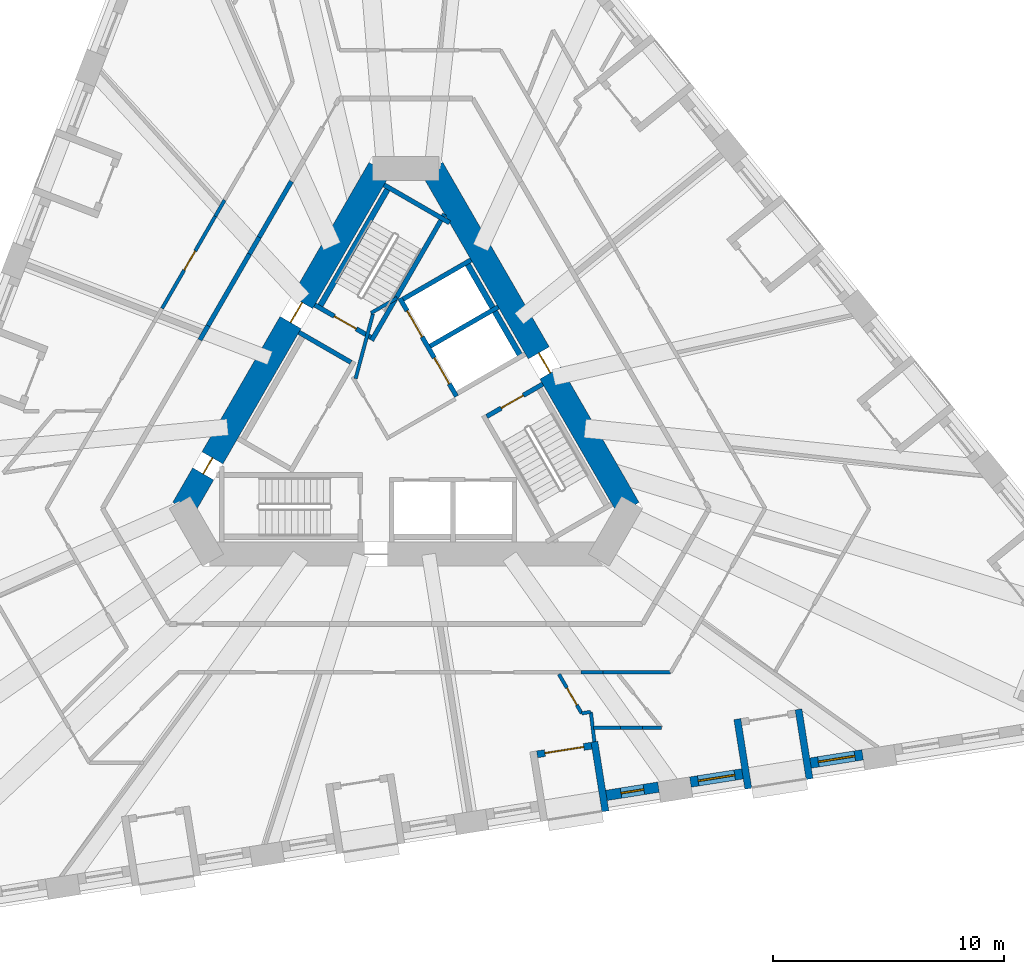
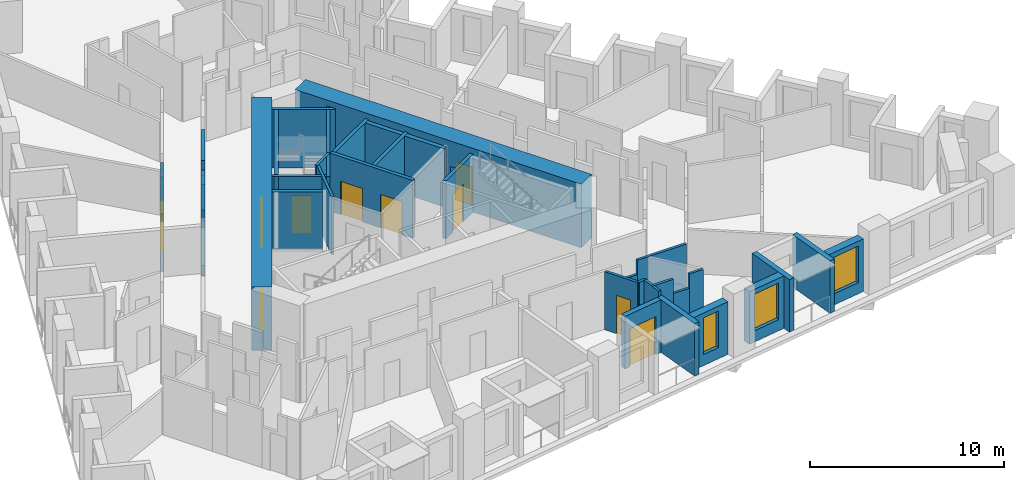
# One storey, part 5 of 14: 35 walls, 10 doors, 3 windows, 13 openings.
"""IFC4 building model written with IfcOpenShell, lengths in metres."""

from ifc_helpers import new_model, si_unit, direction, frame, frame_2d, origin, place, context, subcontext, project, spatial, rectangle, extrude, material, layer, layer_set, type_object, element, fill, save


model = new_model("IFC4")

# Units and contexts
model_context = context("Model", 3, precision=1e-05, world=origin(), true_north=direction((0.0, 1.0)))
body_context = subcontext(model_context, "Body", "Model", "MODEL_VIEW")
ifc_project = project(units=[si_unit("LENGTHUNIT", "METRE"), si_unit("AREAUNIT", "SQUARE_METRE"), si_unit("VOLUMEUNIT", "CUBIC_METRE"), si_unit("PLANEANGLEUNIT", "RADIAN"), si_unit("MASSUNIT", "GRAM", prefix="KILO")], contexts=[model_context])

# Site, building, storey
site_placement = place(None, origin())
site = spatial("IfcSite", under=ifc_project, at=site_placement, CompositionType="ELEMENT")
building_placement = place(site_placement, origin())
building = spatial("IfcBuilding", under=site, at=building_placement, Name="Tramontana Tower", CompositionType="ELEMENT")
storey_placement = place(building_placement, frame((0.0, 0.0, 59.199951171875)))
storey = spatial("IfcBuildingStorey", under=building, at=storey_placement, Name="L12", CompositionType="ELEMENT", Elevation=59.199951171875)

# Wall, openings, doors
ifc_material_1 = material(Name="Concrete 70 MPa", Category="concrete")
ifc_layer_1 = layer(ifc_material_1, 1.050048828125)
ifc_layer_set_1 = layer_set([ifc_layer_1], Name="Core wall 1050 70 MPa")
wall_type_1 = type_object("IfcWallType", Name="Core wall 1050 70 MPa", PredefinedType="SHEAR", material=ifc_layer_set_1)
wall_1_placement = place(storey_placement, frame((-1.140380859375, 10.47509765625, 0.0), z_axis=(0.0, 0.0, 1.0), x_axis=(-0.499985955615, -0.866033512162, 0.0)))
wall_1 = element("IfcWall", 1, at=wall_1_placement, inside=storey, type_object=wall_type_1, Name="Core wall C1 L12", PredefinedType="SHEAR", context=body_context, shape_type="SweptSolid", body=[
    extrude(rectangle(XDim=17.0029296875, YDim=1.050048828125, at=frame_2d((8.50146484375, 0.0))), origin(), (0.0, 0.0, 1.0), 4.0),
])
opening_1_placement = place(wall_1_placement, frame((6.70654296875, 0.0, 0.0)))
opening_1 = element("IfcOpeningElement", 2, at=opening_1_placement, cuts=wall_1, Name="Opening RG1", PredefinedType="OPENING", context=body_context, shape_type="SweptSolid", body=[
    extrude(rectangle(XDim=1.0, YDim=2.39990234375, at=frame_2d((0.5, 1.199951171875))), frame((0.0, 0.534912109375, 0.0), z_axis=(0.0, -1.0, 0.0), x_axis=(1.0, 0.0, 0.0)), (0.0, 0.0, 1.0), 1.070068359375),
])
opening_2_placement = place(wall_1_placement, frame((14.472412109375, 0.0, 0.0)))
opening_2 = element("IfcOpeningElement", 3, at=opening_2_placement, cuts=wall_1, Name="Opening PD1", PredefinedType="OPENING", context=body_context, shape_type="SweptSolid", body=[
    extrude(rectangle(XDim=0.800048828125, YDim=2.10009765625, at=frame_2d((0.39990234375, 1.050048828125))), frame((0.0, 0.534912109375, 0.0), z_axis=(0.0, -1.0, 0.0), x_axis=(1.0, 0.0, 0.0)), (0.0, 0.0, 1.0), 1.070068359375),
])
ifc_material_2 = material(Name="Painted steel", Category="steel")
door_type_1 = type_object("IfcDoorType", Name="CUPBOARD DOOR 800", OperationType="SINGLE_SWING_LEFT", PredefinedType="DOOR", material=ifc_material_2)
door_1_placement = place(opening_2_placement, origin())
door_1 = element("IfcDoor", 4, at=door_1_placement, inside=storey, type_object=door_type_1, Name="Door PD1", OperationType="SINGLE_SWING_RIGHT", OverallHeight=2.10009765625, OverallWidth=0.800048828125, PredefinedType="DOOR", context=body_context, shape_type="SweptSolid", body=[
    extrude(rectangle(XDim=0.800048828125, YDim=2.10009765625, at=frame_2d((0.39990234375, 1.050048828125))), frame((0.0, 0.02490234375, 0.0), z_axis=(0.0, -1.0, 0.0), x_axis=(1.0, 0.0, 0.0)), (0.0, 0.0, 1.0), 0.050048828125),
])
fill(opening_2, door_1)
ifc_material_3 = material(Name="Painted steel", Category="steel")
door_type_2 = type_object("IfcDoorType", Name="RING DOOR 1000", OperationType="SINGLE_SWING_LEFT", PredefinedType="DOOR", material=ifc_material_3)
door_2_placement = place(opening_1_placement, origin())
door_2 = element("IfcDoor", 5, at=door_2_placement, inside=storey, type_object=door_type_2, Name="Door RG1", OperationType="SINGLE_SWING_LEFT", OverallHeight=2.39990234375, OverallWidth=1.0, PredefinedType="DOOR", context=body_context, shape_type="SweptSolid", body=[
    extrude(rectangle(XDim=1.0, YDim=2.39990234375, at=frame_2d((0.5, 1.199951171875))), frame((0.0, 0.02490234375, 0.0), z_axis=(0.0, -1.0, 0.0), x_axis=(1.0, 0.0, 0.0)), (0.0, 0.0, 1.0), 0.050048828125),
])
fill(opening_1, door_2)

# Wall, opening, door
wall_2_placement = place(storey_placement, frame((9.6416015625, -4.25, 0.0), z_axis=(0.0, 0.0, 1.0), x_axis=(-0.499985955615, 0.866033512162, 0.0)))
wall_2 = element("IfcWall", 6, at=wall_2_placement, inside=storey, type_object=wall_type_1, Name="Core wall C5 L12", PredefinedType="SHEAR", context=body_context, shape_type="SweptSolid", body=[
    extrude(rectangle(XDim=17.0029296875, YDim=1.050048828125, at=frame_2d((8.50146484375, 0.0))), origin(), (0.0, 0.0, 1.0), 4.0),
])
opening_3_placement = place(wall_2_placement, frame((6.7763671875, 0.0, 0.0)))
opening_3 = element("IfcOpeningElement", 7, at=opening_3_placement, cuts=wall_2, Name="Opening RG3", PredefinedType="OPENING", context=body_context, shape_type="SweptSolid", body=[
    extrude(rectangle(XDim=1.0, YDim=2.39990234375, at=frame_2d((0.5, 1.199951171875))), frame((0.0, 0.534912109375, 0.0), z_axis=(0.0, -1.0, 0.0), x_axis=(1.0, 0.0, 0.0)), (0.0, 0.0, 1.0), 1.070068359375),
])
door_3_placement = place(opening_3_placement, origin())
door_3 = element("IfcDoor", 8, at=door_3_placement, inside=storey, type_object=door_type_2, Name="Door RG3", OperationType="SINGLE_SWING_LEFT", OverallHeight=2.39990234375, OverallWidth=1.0, PredefinedType="DOOR", context=body_context, shape_type="SweptSolid", body=[
    extrude(rectangle(XDim=1.0, YDim=2.39990234375, at=frame_2d((0.5, 1.199951171875))), frame((0.0, 0.02490234375, 0.0), z_axis=(0.0, -1.0, 0.0), x_axis=(1.0, 0.0, 0.0)), (0.0, 0.0, 1.0), 0.050048828125),
])
fill(opening_3, door_3)

# Walls
ifc_material_4 = material(Name="Blockwork", Category="masonry")
ifc_layer_2 = layer(ifc_material_4, 0.199951171875)
ifc_layer_set_2 = layer_set([ifc_layer_2], Name="ENTRY WALL 200")
wall_type_2 = type_object("IfcWallType", Name="ENTRY WALL 200", PredefinedType="SOLIDWALL", material=ifc_layer_set_2)
wall_3_placement = place(storey_placement, frame((-8.92041015625, 3.04931640625, 0.0), z_axis=(0.0, 0.0, 1.0), x_axis=(0.499881507708, 0.866093804534, 0.0)))
element("IfcWall", 9, at=wall_3_placement, inside=storey, type_object=wall_type_2, Name="Wall v10-ew4-3", PredefinedType="SOLIDWALL", context=body_context, shape_type="SweptSolid", body=[
    extrude(rectangle(XDim=0.708740234375, YDim=0.199951171875, at=frame_2d((0.3544921875, 0.0))), origin(), (0.0, 0.0, 1.0), 2.949951171875),
])
wall_4_placement = place(storey_placement, frame((-8.566162109375, 3.6630859375, 0.0), z_axis=(0.0, 0.0, 1.0), x_axis=(0.500013241293, 0.866017758786, 0.0)))
element("IfcWall", 10, at=wall_4_placement, inside=storey, type_object=wall_type_2, Name="Wall v10-ew4-4", PredefinedType="SOLIDWALL", context=body_context, shape_type="SweptSolid", body=[
    extrude(rectangle(XDim=3.58544921875, YDim=0.199951171875, at=frame_2d((1.792724609375, 0.0))), origin(), (0.0, 0.0, 1.0), 3.650146484375),
])
wall_5_placement = place(storey_placement, frame((-6.7734375, 6.76806640625, 0.0), z_axis=(0.0, 0.0, 1.0), x_axis=(0.500117447933, 0.865957584569, 0.0)))
element("IfcWall", 11, at=wall_5_placement, inside=storey, type_object=wall_type_2, Name="Wall v10-ew4-5", PredefinedType="SOLIDWALL", context=body_context, shape_type="SweptSolid", body=[
    extrude(rectangle(XDim=0.838134765625, YDim=0.199951171875, at=frame_2d((0.4189453125, 0.0))), origin(), (0.0, 0.0, 1.0), 2.75),
])
wall_6_placement = place(storey_placement, frame((-6.354248046875, 7.493896484375, 0.0), z_axis=(0.0, 0.0, 1.0), x_axis=(0.499964529649, 0.866045881633, 0.0)))
element("IfcWall", 12, at=wall_6_placement, inside=storey, type_object=wall_type_2, Name="Wall v10-ew4-6", PredefinedType="SOLIDWALL", context=body_context, shape_type="SweptSolid", body=[
    extrude(rectangle(XDim=2.793701171875, YDim=0.199951171875, at=frame_2d((1.39697265625, 0.0))), origin(), (0.0, 0.0, 1.0), 3.650146484375),
])

# Wall, opening, window
ifc_material_5 = material(Name="Precast concrete 60 MPa", Category="concrete")
ifc_layer_3 = layer(ifc_material_5, 0.449951171875)
ifc_layer_set_3 = layer_set([ifc_layer_3], Name="Precast concrete 60 MPa, 450 mm")
wall_type_3 = type_object("IfcWallType", Name="EW1 Stone-faced precast wall 450", PredefinedType="SOLIDWALL", material=ifc_layer_set_3)
wall_7_placement = place(storey_placement, frame((8.680908203125, -16.67236328125, 0.0), z_axis=(0.0, 0.0, 1.0), x_axis=(0.987685675151, 0.156451293065, 0.0)))
wall_7 = element("IfcWall", 13, at=wall_7_placement, inside=storey, type_object=wall_type_3, Name="External wall L12 face 1 bay 4", PredefinedType="SOLIDWALL", context=body_context, shape_type="SweptSolid", body=[
    extrude(rectangle(XDim=2.282958984375, YDim=0.449951171875, at=frame_2d((1.1416015625, 0.0))), origin(), (0.0, 0.0, 1.0), 3.300048828125),
])
opening_4_placement = place(wall_7_placement, frame((0.6416015625, 0.0, 0.699951171875)))
opening_4 = element("IfcOpeningElement", 14, at=opening_4_placement, cuts=wall_7, Name="Opening N1", PredefinedType="OPENING", context=body_context, shape_type="SweptSolid", body=[
    extrude(rectangle(XDim=1.0, YDim=2.300048828125, at=frame_2d((0.5, 1.14990234375))), frame((0.0, 0.23486328125, 0.0), z_axis=(0.0, -1.0, 0.0), x_axis=(1.0, 0.0, 0.0)), (0.0, 0.0, 1.0), 0.469970703125),
])
ifc_material_6 = material(Name="Aluminum frame, double glazing unit", Category="aluminium")
window_type_1 = type_object("IfcWindowType", Name="N1 Window 1 x 2.3", PartitioningType="SINGLE_PANEL", PredefinedType="WINDOW", material=ifc_material_6)
window_1_placement = place(opening_4_placement, origin())
window_1 = element("IfcWindow", 15, at=window_1_placement, inside=storey, type_object=window_type_1, Name="Window N1 L12 face 1 module 12", OverallHeight=2.300048828125, OverallWidth=1.0, PartitioningType="SINGLE_PANEL", PredefinedType="WINDOW", context=body_context, shape_type="SweptSolid", body=[
    extrude(rectangle(XDim=1.0, YDim=2.300048828125, at=frame_2d((0.5, 1.14990234375))), frame((0.0, 0.030029296875, 0.0), z_axis=(0.0, -1.0, 0.0), x_axis=(1.0, 0.0, 0.0)), (0.0, 0.0, 1.0), 0.06005859375),
])
fill(opening_4, window_1)

wall_8_placement = place(storey_placement, frame((12.318603515625, -16.09619140625, 0.0), z_axis=(0.0, 0.0, 1.0), x_axis=(0.987685675151, 0.156451293065, 0.0)))
wall_8 = element("IfcWall", 16, at=wall_8_placement, inside=storey, type_object=wall_type_3, Name="External wall L12 face 1 bay 5", PredefinedType="SOLIDWALL", context=body_context, shape_type="SweptSolid", body=[
    extrude(rectangle(XDim=2.282958984375, YDim=0.449951171875, at=frame_2d((1.1416015625, 0.0))), origin(), (0.0, 0.0, 1.0), 3.300048828125),
])
opening_5_placement = place(wall_8_placement, frame((0.341552734375, 0.0, 0.699951171875)))
opening_5 = element("IfcOpeningElement", 17, at=opening_5_placement, cuts=wall_8, Name="Opening M1", PredefinedType="OPENING", context=body_context, shape_type="SweptSolid", body=[
    extrude(rectangle(XDim=1.60009765625, YDim=2.300048828125, at=frame_2d((0.800048828125, 1.14990234375))), frame((0.0, 0.23486328125, 0.0), z_axis=(0.0, -1.0, 0.0), x_axis=(1.0, 0.0, 0.0)), (0.0, 0.0, 1.0), 0.469970703125),
])
ifc_material_7 = material(Name="Aluminum frame, double glazing unit", Category="aluminium")
window_type_2 = type_object("IfcWindowType", Name="M1 Window 1.6 x 2.3", PartitioningType="SINGLE_PANEL", PredefinedType="WINDOW", material=ifc_material_7)
window_2_placement = place(opening_5_placement, origin())
window_2 = element("IfcWindow", 18, at=window_2_placement, inside=storey, type_object=window_type_2, Name="Window M1 L12 face 1 module 13", OverallHeight=2.300048828125, OverallWidth=1.60009765625, PartitioningType="SINGLE_PANEL", PredefinedType="WINDOW", context=body_context, shape_type="SweptSolid", body=[
    extrude(rectangle(XDim=1.60009765625, YDim=2.300048828125, at=frame_2d((0.800048828125, 1.14990234375))), frame((0.0, 0.030029296875, 0.0), z_axis=(0.0, -1.0, 0.0), x_axis=(1.0, 0.0, 0.0)), (0.0, 0.0, 1.0), 0.06005859375),
])
fill(opening_5, window_2)

wall_9_placement = place(storey_placement, frame((17.519775390625, -15.2724609375, 0.0), z_axis=(0.0, 0.0, 1.0), x_axis=(0.987685675151, 0.156451293065, 0.0)))
wall_9 = element("IfcWall", 19, at=wall_9_placement, inside=storey, type_object=wall_type_3, Name="External wall L12 face 1 bay 5", PredefinedType="SOLIDWALL", context=body_context, shape_type="SweptSolid", body=[
    extrude(rectangle(XDim=2.282958984375, YDim=0.449951171875, at=frame_2d((1.1416015625, 0.0))), origin(), (0.0, 0.0, 1.0), 3.300048828125),
])
opening_6_placement = place(wall_9_placement, frame((0.341552734375, 0.0, 0.699951171875)))
opening_6 = element("IfcOpeningElement", 20, at=opening_6_placement, cuts=wall_9, Name="Opening M1", PredefinedType="OPENING", context=body_context, shape_type="SweptSolid", body=[
    extrude(rectangle(XDim=1.60009765625, YDim=2.300048828125, at=frame_2d((0.800048828125, 1.14990234375))), frame((0.0, 0.23486328125, 0.0), z_axis=(0.0, -1.0, 0.0), x_axis=(1.0, 0.0, 0.0)), (0.0, 0.0, 1.0), 0.469970703125),
])
window_3_placement = place(opening_6_placement, origin())
window_3 = element("IfcWindow", 21, at=window_3_placement, inside=storey, type_object=window_type_2, Name="Window M1 L12 face 1 module 15", OverallHeight=2.300048828125, OverallWidth=1.60009765625, PartitioningType="SINGLE_PANEL", PredefinedType="WINDOW", context=body_context, shape_type="SweptSolid", body=[
    extrude(rectangle(XDim=1.60009765625, YDim=2.300048828125, at=frame_2d((0.800048828125, 1.14990234375))), frame((0.0, 0.030029296875, 0.0), z_axis=(0.0, -1.0, 0.0), x_axis=(1.0, 0.0, 0.0)), (0.0, 0.0, 1.0), 0.06005859375),
])
fill(opening_6, window_3)

# Wall, opening, door
ifc_material_8 = material(Name="Precast concrete 60 MPa", Category="concrete")
ifc_layer_4 = layer(ifc_material_8, 0.300048828125)
ifc_layer_set_4 = layer_set([ifc_layer_4], Name="LW1 Stone-faced loggia wall 300")
wall_type_4 = type_object("IfcWallType", Name="LW1 Stone-faced loggia wall 300", PredefinedType="SOLIDWALL", material=ifc_layer_set_4)
wall_10_placement = place(storey_placement, frame((5.682861328125, -14.894287109375, 0.0), z_axis=(0.0, 0.0, 1.0), x_axis=(0.987688093492, 0.15643602518, 0.0)))
wall_10 = element("IfcWall", 22, at=wall_10_placement, inside=storey, type_object=wall_type_4, Name="Loggia wall L12 G1S1.10", PredefinedType="SOLIDWALL", context=body_context, shape_type="SweptSolid", body=[
    extrude(rectangle(XDim=2.383056640625, YDim=0.300048828125, at=frame_2d((1.19140625, 0.0))), origin(), (0.0, 0.0, 1.0), 3.300048828125),
])
opening_7_placement = place(wall_10_placement, frame((0.341552734375, 0.0, 0.0)))
opening_7 = element("IfcOpeningElement", 23, at=opening_7_placement, cuts=wall_10, Name="Opening BD-1S1-10", PredefinedType="OPENING", context=body_context, shape_type="SweptSolid", body=[
    extrude(rectangle(XDim=1.699951171875, YDim=2.39990234375, at=frame_2d((0.85009765625, 1.199951171875))), frame((0.0, 0.159912109375, 0.0), z_axis=(0.0, -1.0, 0.0), x_axis=(1.0, 0.0, 0.0)), (0.0, 0.0, 1.0), 0.320068359375),
])
ifc_material_9 = material(Name="Aluminum frame, double glazing unit", Category="aluminium")
door_type_3 = type_object("IfcDoorType", Name="BD1 Sliding door 1.7 x 2.4", OperationType="SLIDING_TO_LEFT", PredefinedType="DOOR", material=ifc_material_9)
door_4_placement = place(opening_7_placement, origin())
door_4 = element("IfcDoor", 24, at=door_4_placement, inside=storey, type_object=door_type_3, Name="Loggia door L12 G1S1.10", OperationType="SLIDING_TO_LEFT", OverallHeight=2.39990234375, OverallWidth=1.699951171875, PredefinedType="DOOR", context=body_context, shape_type="SweptSolid", body=[
    extrude(rectangle(XDim=1.699951171875, YDim=2.39990234375, at=frame_2d((0.85009765625, 1.199951171875))), frame((0.0, 0.02490234375, 0.0), z_axis=(0.0, -1.0, 0.0), x_axis=(1.0, 0.0, 0.0)), (0.0, 0.0, 1.0), 0.050048828125),
])
fill(opening_7, door_4)

# Walls
for number, where, z_axis, x_axis, name in (
    (25, (8.638427734375, -17.3623046875, 0.0), (0.0, 0.0, 1.0), (-0.156410600741, 0.987692120033, 0.0), "Loggia return L12 G1S1.10b"),
    (26, (14.8271484375, -16.38232421875, 0.0), (0.0, 0.0, 1.0), (-0.156410600741, 0.987692120033, 0.0), "Loggia return L12 G1S1.13a"),
    (27, (17.47705078125, -15.96240234375, 0.0), (0.0, 0.0, 1.0), (-0.156410600741, 0.987692120033, 0.0), "Loggia return L12 G1S1.13b"),
):
    element("IfcWall", number, at=place(storey_placement, frame(where, z_axis=z_axis, x_axis=x_axis)), inside=storey, type_object=wall_type_4, Name=name, PredefinedType="SOLIDWALL", context=body_context, shape_type="SweptSolid", body=[
        extrude(rectangle(XDim=3.050048828125, YDim=0.300048828125, at=frame_2d((1.52490234375, 0.0))), origin(), (0.0, 0.0, 1.0), 3.300048828125),
    ])
ifc_material_10 = material(Name="Gypsum board partition")
ifc_layer_5 = layer(ifc_material_10, 0.14990234375)
ifc_layer_set_5 = layer_set([ifc_layer_5], Name="PARTITION 150")
wall_type_5 = type_object("IfcWallType", Name="PARTITION 150", PredefinedType="PARTITIONING", material=ifc_layer_set_5)
wall_11_placement = place(storey_placement, frame((-2.177978515625, 1.372314453125, 0.0), z_axis=(0.0, 0.0, 1.0), x_axis=(0.258808958833, 0.96592852884, 0.0)))
element("IfcWall", 28, at=wall_11_placement, inside=storey, type_object=wall_type_5, Name="Wall ff-diag", PredefinedType="PARTITIONING", context=body_context, shape_type="SweptSolid", body=[
    extrude(rectangle(XDim=2.902587890625, YDim=0.14990234375, at=frame_2d((1.451171875, 0.0))), origin(), (0.0, 0.0, 1.0), 3.650146484375),
])
wall_12_placement = place(storey_placement, frame((-1.509765625, 4.21484375, 0.0), z_axis=(0.0, 0.0, 1.0), x_axis=(0.866085525409, 0.49989585183, 0.0)))
element("IfcWall", 29, at=wall_12_placement, inside=storey, type_object=wall_type_5, Name="Wall ff-end1", PredefinedType="PARTITIONING", context=body_context, shape_type="SweptSolid", body=[
    extrude(rectangle(XDim=1.300048828125, YDim=0.14990234375, at=frame_2d((0.64990234375, 0.0))), origin(), (0.0, 0.0, 1.0), 3.650146484375),
])
wall_13_placement = place(storey_placement, frame((-7.85107421875, 9.1015625, 0.0), z_axis=(0.0, 0.0, 1.0), x_axis=(-0.500052144805, -0.865995295874, 0.0)))
element("IfcWall", 30, at=wall_13_placement, inside=storey, type_object=wall_type_5, Name="Wall v10-pw16-3", PredefinedType="PARTITIONING", context=body_context, shape_type="SweptSolid", body=[
    extrude(rectangle(XDim=0.81201171875, YDim=0.14990234375, at=frame_2d((0.406005859375, 0.0))), origin(), (0.0, 0.0, 1.0), 2.75),
])

# Wall, opening, door
wall_14_placement = place(storey_placement, frame((-10.557373046875, 4.4140625, 0.0), z_axis=(0.0, 0.0, 1.0), x_axis=(0.499985815721, 0.866033592927, 0.0)))
wall_14 = element("IfcWall", 31, at=wall_14_placement, inside=storey, type_object=wall_type_5, Name="Wall v10-pw16-4", PredefinedType="PARTITIONING", context=body_context, shape_type="SweptSolid", body=[
    extrude(rectangle(XDim=4.600830078125, YDim=0.14990234375, at=frame_2d((2.30029296875, 0.0))), origin(), (0.0, 0.0, 1.0), 3.650146484375),
])
opening_8_placement = place(wall_14_placement, frame((1.92236328125, 0.0, 0.0)))
opening_8 = element("IfcOpeningElement", 32, at=opening_8_placement, cuts=wall_14, Name="Opening B1A-07", PredefinedType="OPENING", context=body_context, shape_type="SweptSolid", body=[
    extrude(rectangle(XDim=0.949951171875, YDim=2.39990234375, at=frame_2d((0.47509765625, 1.199951171875))), frame((0.0, 0.0849609375, 0.0), z_axis=(0.0, -1.0, 0.0), x_axis=(1.0, 0.0, 0.0)), (0.0, 0.0, 1.0), 0.169921875),
])
ifc_material_11 = material(Name="Painted timber", Category="wood")
door_type_4 = type_object("IfcDoorType", Name="DOOR ROOM 950", OperationType="SINGLE_SWING_LEFT", PredefinedType="DOOR", material=ifc_material_11)
door_5_placement = place(opening_8_placement, origin())
door_5 = element("IfcDoor", 33, at=door_5_placement, inside=storey, type_object=door_type_4, Name="Door B1A-07", OperationType="SINGLE_SWING_LEFT", OverallHeight=2.39990234375, OverallWidth=0.949951171875, PredefinedType="DOOR", context=body_context, shape_type="SweptSolid", body=[
    extrude(rectangle(XDim=0.949951171875, YDim=2.39990234375, at=frame_2d((0.47509765625, 1.199951171875))), frame((0.0, 0.02490234375, 0.0), z_axis=(0.0, -1.0, 0.0), x_axis=(1.0, 0.0, 0.0)), (0.0, 0.0, 1.0), 0.050048828125),
])
fill(opening_8, door_5)

wall_15_placement = place(storey_placement, frame((6.62646484375, -11.425048828125, 0.0), z_axis=(0.0, 0.0, 1.0), x_axis=(0.501747909074, -0.86501389338, 0.0)))
wall_15 = element("IfcWall", 34, at=wall_15_placement, inside=storey, type_object=wall_type_5, Name="Wall v10-pw28", PredefinedType="PARTITIONING", context=body_context, shape_type="SweptSolid", body=[
    extrude(rectangle(XDim=1.96044921875, YDim=0.14990234375, at=frame_2d((0.980224609375, 0.0))), origin(), (0.0, 0.0, 1.0), 3.650146484375),
])
opening_9_placement = place(wall_15_placement, frame((0.6904296875, 0.0, 0.0)))
opening_9 = element("IfcOpeningElement", 35, at=opening_9_placement, cuts=wall_15, Name="Opening B1A-26", PredefinedType="OPENING", context=body_context, shape_type="SweptSolid", body=[
    extrude(rectangle(XDim=0.85009765625, YDim=2.39990234375, at=frame_2d((0.425048828125, 1.199951171875))), frame((0.0, 0.0849609375, 0.0), z_axis=(0.0, -1.0, 0.0), x_axis=(1.0, 0.0, 0.0)), (0.0, 0.0, 1.0), 0.169921875),
])
ifc_material_12 = material(Name="Painted timber", Category="wood")
door_type_5 = type_object("IfcDoorType", Name="DOOR BATH 850", OperationType="SINGLE_SWING_LEFT", PredefinedType="DOOR", material=ifc_material_12)
door_6_placement = place(opening_9_placement, origin())
door_6 = element("IfcDoor", 36, at=door_6_placement, inside=storey, type_object=door_type_5, Name="Door B1A-26", OperationType="SINGLE_SWING_RIGHT", OverallHeight=2.39990234375, OverallWidth=0.85009765625, PredefinedType="DOOR", context=body_context, shape_type="SweptSolid", body=[
    extrude(rectangle(XDim=0.85009765625, YDim=2.39990234375, at=frame_2d((0.425048828125, 1.199951171875))), frame((0.0, 0.02490234375, 0.0), z_axis=(0.0, -1.0, 0.0), x_axis=(1.0, 0.0, 0.0)), (0.0, 0.0, 1.0), 0.050048828125),
])
fill(opening_9, door_6)

# Walls
wall_16_placement = place(storey_placement, frame((8.00537109375, -13.058349609375, 0.0), z_axis=(0.0, 0.0, 1.0), x_axis=(-0.987713419374, -0.156276041632, 0.0)))
element("IfcWall", 37, at=wall_16_placement, inside=storey, type_object=wall_type_5, Name="Wall v10-pw29", PredefinedType="PARTITIONING", context=body_context, shape_type="SweptSolid", body=[
    extrude(rectangle(XDim=0.39990234375, YDim=0.14990234375, at=frame_2d((0.199951171875, 0.0))), origin(), (0.0, 0.0, 1.0), 3.650146484375),
])
wall_17_placement = place(storey_placement, frame((8.161376953125, -14.349853515625, 0.0), z_axis=(0.0, 0.0, 1.0), x_axis=(-0.118226127794, 0.992986698152, 0.0)))
element("IfcWall", 38, at=wall_17_placement, inside=storey, type_object=wall_type_5, Name="Wall v10-pw30", PredefinedType="PARTITIONING", context=body_context, shape_type="SweptSolid", body=[
    extrude(rectangle(XDim=1.298828125, YDim=0.14990234375, at=frame_2d((0.6494140625, 0.0))), origin(), (0.0, 0.0, 1.0), 3.650146484375),
])
wall_18_placement = place(storey_placement, frame((11.060546875, -13.75, 0.0), z_axis=(0.0, 0.0, 1.0), x_axis=(-1.0, 0.0, 0.0)))
element("IfcWall", 39, at=wall_18_placement, inside=storey, type_object=wall_type_5, Name="Wall v10-pw34-0", PredefinedType="PARTITIONING", context=body_context, shape_type="SweptSolid", body=[
    extrude(rectangle(XDim=0.823974609375, YDim=0.14990234375, at=frame_2d((0.412109375, 0.0))), origin(), (0.0, 0.0, 1.0), 3.650146484375),
])
wall_19_placement = place(storey_placement, frame((10.236572265625, -13.75, 0.0), z_axis=(0.0, 0.0, 1.0), x_axis=(-1.0, 0.0, 0.0)))
element("IfcWall", 40, at=wall_19_placement, inside=storey, type_object=wall_type_5, Name="Wall v10-pw34-1", PredefinedType="PARTITIONING", context=body_context, shape_type="SweptSolid", body=[
    extrude(rectangle(XDim=0.950439453125, YDim=0.14990234375, at=frame_2d((0.47509765625, 0.0))), origin(), (0.0, 0.0, 1.0), 2.75),
])
wall_20_placement = place(storey_placement, frame((9.2861328125, -13.75, 0.0), z_axis=(0.0, 0.0, 1.0), x_axis=(-1.0, 0.0, 0.0)))
element("IfcWall", 41, at=wall_20_placement, inside=storey, type_object=wall_type_5, Name="Wall v10-pw34-2", PredefinedType="PARTITIONING", context=body_context, shape_type="SweptSolid", body=[
    extrude(rectangle(XDim=1.1689453125, YDim=0.14990234375, at=frame_2d((0.58447265625, 0.0))), origin(), (0.0, 0.0, 1.0), 3.650146484375),
])
wall_21_placement = place(storey_placement, frame((11.46044921875, -11.35009765625, 0.0), z_axis=(0.0, 0.0, 1.0), x_axis=(-1.0, 0.0, 0.0)))
element("IfcWall", 42, at=wall_21_placement, inside=storey, type_object=wall_type_5, Name="Wall v10-pw35-0", PredefinedType="PARTITIONING", context=body_context, shape_type="SweptSolid", body=[
    extrude(rectangle(XDim=2.927734375, YDim=0.14990234375, at=frame_2d((1.4638671875, 0.0))), origin(), (0.0, 0.0, 1.0), 3.650146484375),
])
wall_22_placement = place(storey_placement, frame((8.53271484375, -11.35009765625, 0.0), z_axis=(0.0, 0.0, 1.0), x_axis=(-1.0, 0.0, 0.0)))
element("IfcWall", 43, at=wall_22_placement, inside=storey, type_object=wall_type_5, Name="Wall v10-pw35-1", PredefinedType="PARTITIONING", context=body_context, shape_type="SweptSolid", body=[
    extrude(rectangle(XDim=0.950439453125, YDim=0.14990234375, at=frame_2d((0.47509765625, 0.0))), origin(), (0.0, 0.0, 1.0), 2.75),
])
ifc_material_13 = material(Name="Concrete 70 MPa", Category="concrete")
ifc_layer_6 = layer(ifc_material_13, 0.25)
ifc_layer_set_6 = layer_set([ifc_layer_6], Name="Concrete 70 MPa, 250 mm")
wall_type_6 = type_object("IfcWallType", Name="RC SHAFT BACK WALL 250", PredefinedType="SOLIDWALL", material=ifc_layer_set_6)
wall_23_placement = place(storey_placement, frame((-0.701416015625, 9.73486328125, 0.0), z_axis=(0.0, 0.0, 1.0), x_axis=(-0.500026960575, -0.86600983753, 0.0)))
element("IfcWall", 44, at=wall_23_placement, inside=storey, type_object=wall_type_6, Name="Wall st1-back", PredefinedType="SOLIDWALL", context=body_context, shape_type="SweptSolid", body=[
    extrude(rectangle(XDim=6.199951171875, YDim=0.25, at=frame_2d((3.10009765625, 0.0))), origin(), (0.0, 0.0, 1.0), 3.650146484375),
])
wall_24_placement = place(storey_placement, frame((5.0263671875, 2.243896484375, 0.0), z_axis=(0.0, 0.0, 1.0), x_axis=(-0.500002801628, 0.866023786258, 0.0)))
element("IfcWall", 45, at=wall_24_placement, inside=storey, type_object=wall_type_6, Name="Wall row2-back", PredefinedType="SOLIDWALL", context=body_context, shape_type="SweptSolid", body=[
    extrude(rectangle(XDim=4.89990234375, YDim=0.25, at=frame_2d((2.449951171875, 0.0))), origin(), (0.0, 0.0, 1.0), 3.650146484375),
])
ifc_material_14 = material(Name="Concrete 70 MPa", Category="concrete")
ifc_layer_7 = layer(ifc_material_14, 0.199951171875)
ifc_layer_set_7 = layer_set([ifc_layer_7], Name="Concrete 70 MPa, 200 mm")
wall_type_7 = type_object("IfcWallType", Name="RC STAIR AND SHAFT WALL 200", PredefinedType="SOLIDWALL", material=ifc_layer_set_7)
wall_25_placement = place(storey_placement, frame((1.67431640625, 8.5, 0.0), z_axis=(0.0, 0.0, 1.0), x_axis=(-0.499995607161, -0.866027939976, 0.0)))
element("IfcWall", 46, at=wall_25_placement, inside=storey, type_object=wall_type_7, Name="Wall st1-front", PredefinedType="SOLIDWALL", context=body_context, shape_type="SweptSolid", body=[
    extrude(rectangle(XDim=6.318359375, YDim=0.199951171875, at=frame_2d((3.1591796875, 0.0))), origin(), (0.0, 0.0, 1.0), 3.650146484375),
])
wall_26_placement = place(storey_placement, frame((1.892578125, 8.121826171875, 0.0), z_axis=(0.0, 0.0, 1.0), x_axis=(-0.866006986733, 0.500031897912, 0.0)))
element("IfcWall", 47, at=wall_26_placement, inside=storey, type_object=wall_type_7, Name="Wall st1-far", PredefinedType="SOLIDWALL", context=body_context, shape_type="SweptSolid", body=[
    extrude(rectangle(XDim=3.278076171875, YDim=0.199951171875, at=frame_2d((1.63916015625, 0.0))), origin(), (0.0, 0.0, 1.0), 3.650146484375),
])

# Wall, opening, door
wall_27_placement = place(storey_placement, frame((-1.521484375, 3.164794921875, 0.0), z_axis=(0.0, 0.0, 1.0), x_axis=(-0.866034573852, 0.49998411664, 0.0)))
wall_27 = element("IfcWall", 48, at=wall_27_placement, inside=storey, type_object=wall_type_7, Name="Wall st1-near", PredefinedType="SOLIDWALL", context=body_context, shape_type="SweptSolid", body=[
    extrude(rectangle(XDim=2.7998046875, YDim=0.199951171875, at=frame_2d((1.39990234375, 0.0))), origin(), (0.0, 0.0, 1.0), 3.650146484375),
])
opening_10_placement = place(wall_27_placement, frame((0.72509765625, 0.0, 0.0)))
opening_10 = element("IfcOpeningElement", 49, at=opening_10_placement, cuts=wall_27, Name="Opening SD1", PredefinedType="OPENING", context=body_context, shape_type="SweptSolid", body=[
    extrude(rectangle(XDim=1.10009765625, YDim=2.39990234375, at=frame_2d((0.550048828125, 1.199951171875))), frame((0.0, 0.10986328125, 0.0), z_axis=(0.0, -1.0, 0.0), x_axis=(1.0, 0.0, 0.0)), (0.0, 0.0, 1.0), 0.219970703125),
])
ifc_material_15 = material(Name="Painted steel", Category="steel")
door_type_6 = type_object("IfcDoorType", Name="STAIR DOOR 1100", OperationType="SINGLE_SWING_LEFT", PredefinedType="DOOR", material=ifc_material_15)
door_7_placement = place(opening_10_placement, origin())
door_7 = element("IfcDoor", 50, at=door_7_placement, inside=storey, type_object=door_type_6, Name="Door SD1", OperationType="SINGLE_SWING_RIGHT", OverallHeight=2.39990234375, OverallWidth=1.10009765625, PredefinedType="DOOR", context=body_context, shape_type="SweptSolid", body=[
    extrude(rectangle(XDim=1.10009765625, YDim=2.39990234375, at=frame_2d((0.550048828125, 1.199951171875))), frame((0.0, 0.02490234375, 0.0), z_axis=(0.0, -1.0, 0.0), x_axis=(1.0, 0.0, 0.0)), (0.0, 0.0, 1.0), 0.050048828125),
])
fill(opening_10, door_7)

wall_28_placement = place(storey_placement, frame((3.50146484375, -0.2646484375, 0.0), z_axis=(0.0, 0.0, 1.0), x_axis=(0.866034573852, 0.49998411664, 0.0)))
wall_28 = element("IfcWall", 51, at=wall_28_placement, inside=storey, type_object=wall_type_7, Name="Wall st3-near", PredefinedType="SOLIDWALL", context=body_context, shape_type="SweptSolid", body=[
    extrude(rectangle(XDim=2.7998046875, YDim=0.199951171875, at=frame_2d((1.39990234375, 0.0))), origin(), (0.0, 0.0, 1.0), 3.650146484375),
])
opening_11_placement = place(wall_28_placement, frame((0.72509765625, 0.0, 0.0)))
opening_11 = element("IfcOpeningElement", 52, at=opening_11_placement, cuts=wall_28, Name="Opening SD3", PredefinedType="OPENING", context=body_context, shape_type="SweptSolid", body=[
    extrude(rectangle(XDim=1.10009765625, YDim=2.39990234375, at=frame_2d((0.550048828125, 1.199951171875))), frame((0.0, 0.10986328125, 0.0), z_axis=(0.0, -1.0, 0.0), x_axis=(1.0, 0.0, 0.0)), (0.0, 0.0, 1.0), 0.219970703125),
])
door_8_placement = place(opening_11_placement, origin())
door_8 = element("IfcDoor", 53, at=door_8_placement, inside=storey, type_object=door_type_6, Name="Door SD3", OperationType="SINGLE_SWING_RIGHT", OverallHeight=2.39990234375, OverallWidth=1.10009765625, PredefinedType="DOOR", context=body_context, shape_type="SweptSolid", body=[
    extrude(rectangle(XDim=1.10009765625, YDim=2.39990234375, at=frame_2d((0.550048828125, 1.199951171875))), frame((0.0, 0.02490234375, 0.0), z_axis=(0.0, -1.0, 0.0), x_axis=(1.0, 0.0, 0.0)), (0.0, 0.0, 1.0), 0.050048828125),
])
fill(opening_11, door_8)

# Wall
wall_29_placement = place(storey_placement, frame((-2.379638671875, 2.078369140625, 0.0), z_axis=(0.0, 0.0, 1.0), x_axis=(-0.866062058628, 0.499936506574, 0.0)))
element("IfcWall", 54, at=wall_29_placement, inside=storey, type_object=wall_type_7, Name="Wall row0-side0", PredefinedType="SOLIDWALL", context=body_context, shape_type="SweptSolid", body=[
    extrude(rectangle(XDim=2.599853515625, YDim=0.199951171875, at=frame_2d((1.2998046875, 0.0))), origin(), (0.0, 0.0, 1.0), 3.650146484375),
])

# Wall, openings, doors
wall_30_placement = place(storey_placement, frame((2.190185546875, 0.6064453125, 0.0), z_axis=(0.0, 0.0, 1.0), x_axis=(-0.500002801628, 0.866023786258, 0.0)))
wall_30 = element("IfcWall", 55, at=wall_30_placement, inside=storey, type_object=wall_type_7, Name="Wall row2-front", PredefinedType="SOLIDWALL", context=body_context, shape_type="SweptSolid", body=[
    extrude(rectangle(XDim=4.89990234375, YDim=0.199951171875, at=frame_2d((2.449951171875, 0.0))), origin(), (0.0, 0.0, 1.0), 3.650146484375),
])
opening_12_placement = place(wall_30_placement, frame((0.625, 0.0, 0.0)))
opening_12 = element("IfcOpeningElement", 56, at=opening_12_placement, cuts=wall_30, Name="Opening LD-F1", PredefinedType="OPENING", context=body_context, shape_type="SweptSolid", body=[
    extrude(rectangle(XDim=1.300048828125, YDim=2.10009765625, at=frame_2d((0.64990234375, 1.050048828125))), frame((0.0, 0.10986328125, 0.0), z_axis=(0.0, -1.0, 0.0), x_axis=(1.0, 0.0, 0.0)), (0.0, 0.0, 1.0), 0.219970703125),
])
opening_13_placement = place(wall_30_placement, frame((2.97509765625, 0.0, 0.0)))
opening_13 = element("IfcOpeningElement", 57, at=opening_13_placement, cuts=wall_30, Name="Opening LD-F2", PredefinedType="OPENING", context=body_context, shape_type="SweptSolid", body=[
    extrude(rectangle(XDim=1.300048828125, YDim=2.10009765625, at=frame_2d((0.64990234375, 1.050048828125))), frame((0.0, 0.10986328125, 0.0), z_axis=(0.0, -1.0, 0.0), x_axis=(1.0, 0.0, 0.0)), (0.0, 0.0, 1.0), 0.219970703125),
])
ifc_material_16 = material(Name="Brushed steel", Category="steel")
door_type_7 = type_object("IfcDoorType", Name="LANDING DOOR 1300", OperationType="SINGLE_SWING_LEFT", PredefinedType="DOOR", material=ifc_material_16)
door_9_placement = place(opening_12_placement, origin())
door_9 = element("IfcDoor", 58, at=door_9_placement, inside=storey, type_object=door_type_7, Name="Door LD-F1", OperationType="SLIDING_TO_RIGHT", OverallHeight=2.10009765625, OverallWidth=1.300048828125, PredefinedType="DOOR", context=body_context, shape_type="SweptSolid", body=[
    extrude(rectangle(XDim=1.300048828125, YDim=2.10009765625, at=frame_2d((0.64990234375, 1.050048828125))), frame((0.0, 0.02490234375, 0.0), z_axis=(0.0, -1.0, 0.0), x_axis=(1.0, 0.0, 0.0)), (0.0, 0.0, 1.0), 0.050048828125),
])
fill(opening_12, door_9)
door_10_placement = place(opening_13_placement, origin())
door_10 = element("IfcDoor", 59, at=door_10_placement, inside=storey, type_object=door_type_7, Name="Door LD-F2", OperationType="SLIDING_TO_LEFT", OverallHeight=2.10009765625, OverallWidth=1.300048828125, PredefinedType="DOOR", context=body_context, shape_type="SweptSolid", body=[
    extrude(rectangle(XDim=1.300048828125, YDim=2.10009765625, at=frame_2d((0.64990234375, 1.050048828125))), frame((0.0, 0.02490234375, 0.0), z_axis=(0.0, -1.0, 0.0), x_axis=(1.0, 0.0, 0.0)), (0.0, 0.0, 1.0), 0.050048828125),
])
fill(opening_13, door_10)

# Walls
wall_31_placement = place(storey_placement, frame((1.0517578125, 2.778076171875, 0.0), z_axis=(0.0, 0.0, 1.0), x_axis=(0.866038511948, 0.499977295307, 0.0)))
element("IfcWall", 60, at=wall_31_placement, inside=storey, type_object=wall_type_7, Name="Wall row2-side1", PredefinedType="SOLIDWALL", context=body_context, shape_type="SweptSolid", body=[
    extrude(rectangle(XDim=3.400146484375, YDim=0.199951171875, at=frame_2d((1.7001953125, 0.0))), origin(), (0.0, 0.0, 1.0), 3.650146484375),
])
wall_32_placement = place(storey_placement, frame((-0.123046875, 4.813232421875, 0.0), z_axis=(0.0, 0.0, 1.0), x_axis=(0.866020560687, 0.500008388397, 0.0)))
element("IfcWall", 61, at=wall_32_placement, inside=storey, type_object=wall_type_7, Name="Wall row2-side2", PredefinedType="SOLIDWALL", context=body_context, shape_type="SweptSolid", body=[
    extrude(rectangle(XDim=3.39990234375, YDim=0.199951171875, at=frame_2d((1.699951171875, 0.0))), origin(), (0.0, 0.0, 1.0), 3.650146484375),
])

save(model, "model.ifc")
